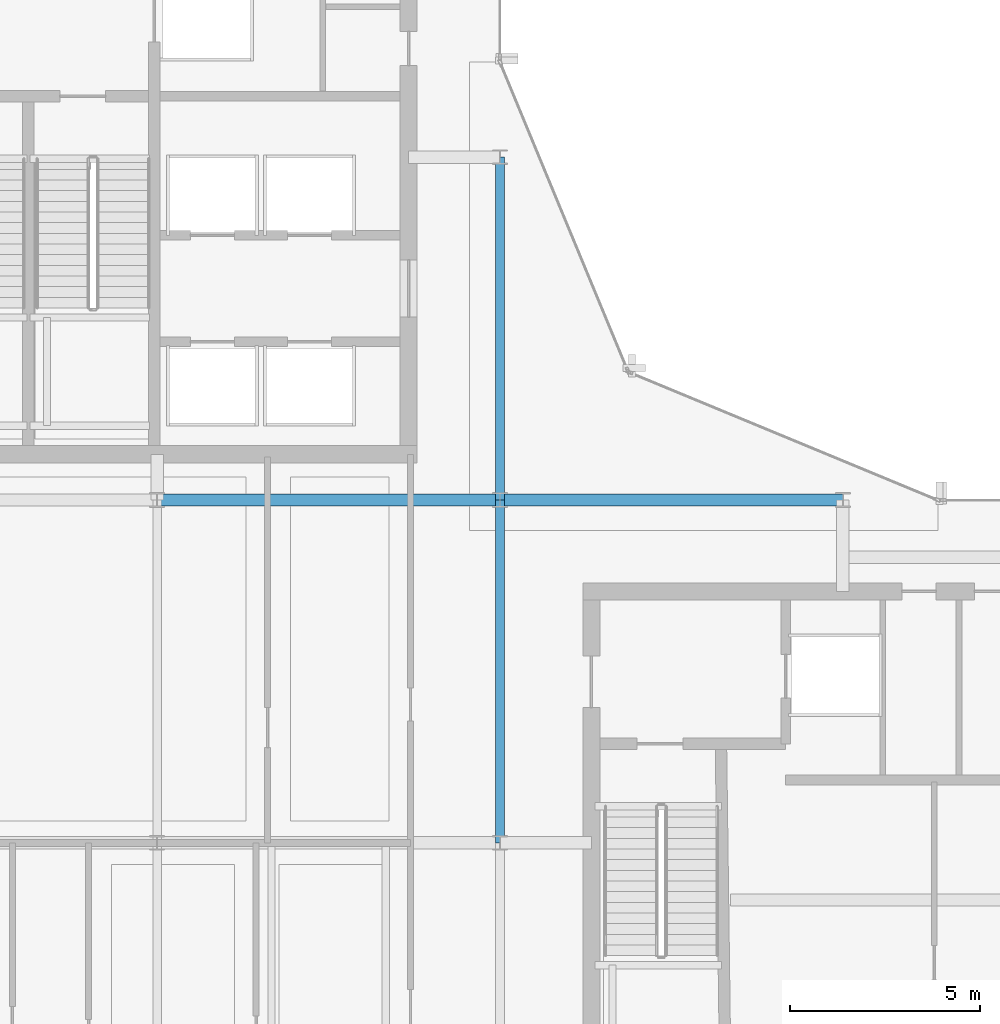
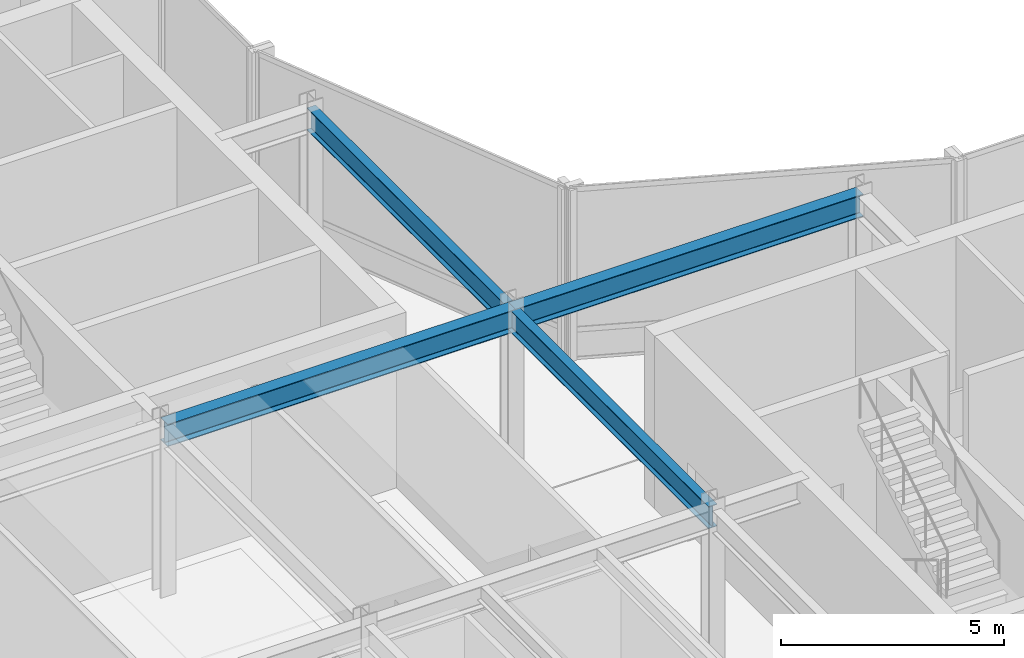
# One storey, part 9 of 23: 4 beams.
"""IFC4 building model written with IfcOpenShell, lengths in metres."""

from ifc_helpers import new_model, si_unit, direction, frame, origin, origin_2d, place, context, subcontext, project, spatial, i_section, extrude, material, material_profile, profile_set, type_object, element, save


model = new_model("IFC4")

# Units and contexts
model_context = context("Model", 3, precision=1e-05, world=origin(), true_north=direction((0.0, 1.0)))
body_context = subcontext(model_context, "Body", "Model", "MODEL_VIEW")
ifc_project = project(units=[si_unit("LENGTHUNIT", "METRE"), si_unit("AREAUNIT", "SQUARE_METRE"), si_unit("VOLUMEUNIT", "CUBIC_METRE"), si_unit("PLANEANGLEUNIT", "RADIAN"), si_unit("MASSUNIT", "GRAM", prefix="KILO")], contexts=[model_context])

# Site, building, storey
site_placement = place(None, origin())
site = spatial("IfcSite", under=ifc_project, at=site_placement, CompositionType="ELEMENT")
building_placement = place(site_placement, origin())
building = spatial("IfcBuilding", under=site, at=building_placement, Name="Solvaryn Broadcast Tower", CompositionType="ELEMENT")
storey_placement = place(building_placement, frame((0.0, 0.0, 235.800048828125)))
storey = spatial("IfcBuildingStorey", under=building, at=storey_placement, Name="L59", CompositionType="ELEMENT", Elevation=235.800048828125)

# Beams
ifc_material_1 = material(Name="Steel ASTM A992 Grade 50", Category="steel")
ifc_material_profile_1 = material_profile(ifc_material_1, i_section(OverallWidth=0.323974609375, OverallDepth=0.611083984375, WebThickness=0.0126953125, FlangeThickness=0.01904296875, FilletRadius=0.014892578125, at=origin_2d()))
ifc_profile_set_1 = profile_set([ifc_material_profile_1], Name="Steel ASTM A992 Grade 50")
beam_type_1 = type_object("IfcBeamType", Name="BM-B1-W24X104", PredefinedType="BEAM", material=ifc_profile_set_1)
for number, where, z_axis, x_axis, name in (
    (1, (18.0, 27.0, 4.41455078125), (1.0, 0.0, 0.0), (0.0, 1.0, 0.0), "L59 Primary Beam X (18-27 @ Y=27)"),
    (2, (27.0, 27.0, 4.41455078125), (1.0, 0.0, 0.0), (0.0, 1.0, 0.0), "L59 Primary Beam X (27-36 @ Y=27)"),
):
    element("IfcBeam", number, at=place(storey_placement, frame(where, z_axis=z_axis, x_axis=x_axis)), inside=storey, type_object=beam_type_1, Name=name, PredefinedType="BEAM", context=body_context, shape_type="SweptSolid", body=[
        extrude(i_section(OverallWidth=0.323974609375, OverallDepth=0.611083984375, WebThickness=0.0126953125, FlangeThickness=0.01904296875, FilletRadius=0.014892578125, at=origin_2d()), origin(), (0.0, 0.0, 1.0), 9.0),
    ])
ifc_material_2 = material(Name="Steel ASTM A992 Grade 50", Category="steel")
ifc_material_profile_2 = material_profile(ifc_material_2, i_section(OverallWidth=0.22802734375, OverallDepth=0.60791015625, WebThickness=0.01123046875, FlangeThickness=0.017333984375, FilletRadius=0.014892578125, at=origin_2d()))
ifc_profile_set_2 = profile_set([ifc_material_profile_2], Name="Steel ASTM A992 Grade 50")
beam_type_2 = type_object("IfcBeamType", Name="BM-B2-W24X76", PredefinedType="BEAM", material=ifc_profile_set_2)
for number, where, z_axis, x_axis, name in (
    (3, (27.0, 18.0, 4.416015625), (0.0, 1.0, 0.0), (-1.0, 0.0, 0.0), "L59 Primary Beam Y (18-27 @ X=27)"),
    (4, (27.0, 27.0, 4.416015625), (0.0, 1.0, 0.0), (-1.0, 0.0, 0.0), "L59 Primary Beam Y (27-36 @ X=27)"),
):
    element("IfcBeam", number, at=place(storey_placement, frame(where, z_axis=z_axis, x_axis=x_axis)), inside=storey, type_object=beam_type_2, Name=name, PredefinedType="BEAM", context=body_context, shape_type="SweptSolid", body=[
        extrude(i_section(OverallWidth=0.22802734375, OverallDepth=0.60791015625, WebThickness=0.01123046875, FlangeThickness=0.017333984375, FilletRadius=0.014892578125, at=origin_2d()), origin(), (0.0, 0.0, 1.0), 9.0),
    ])

save(model, "model.ifc")
